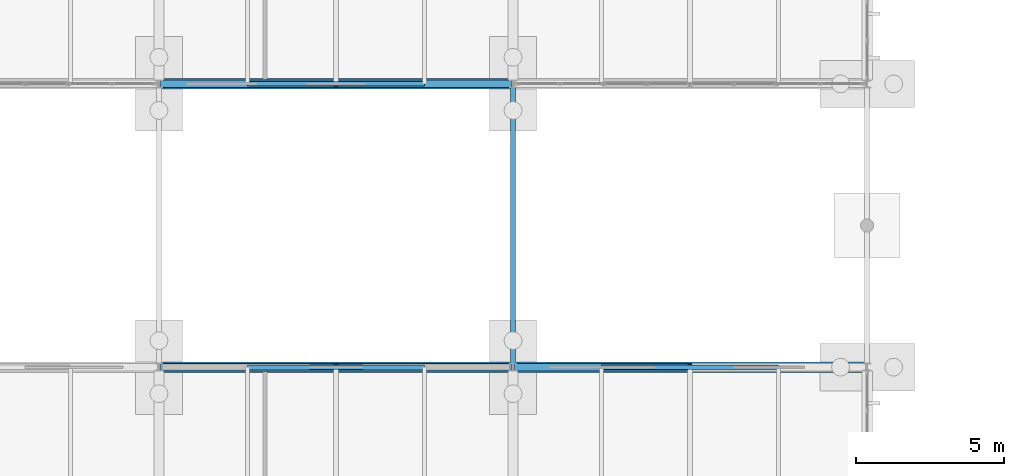
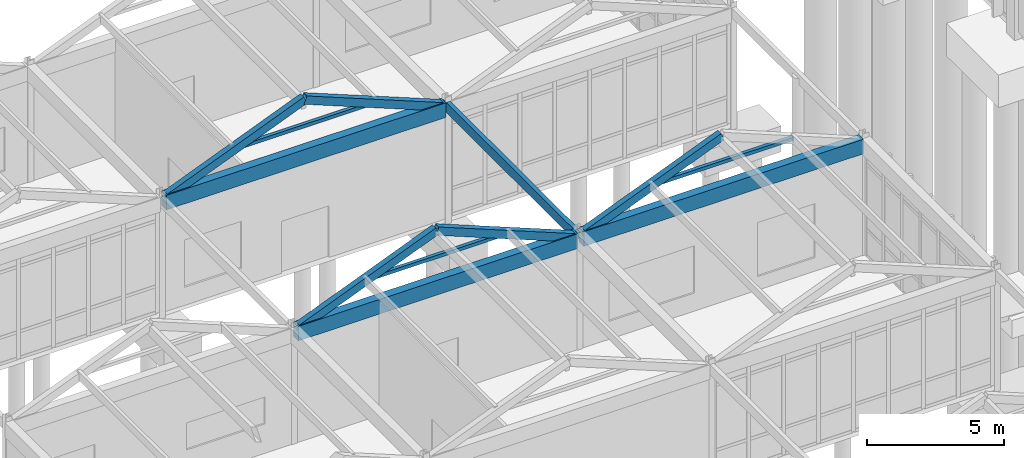
# One storey, part 64 of 188: 9 members, 3 beams.
"""IFC4 building model written with IfcOpenShell, lengths in metres."""

import ifcopenshell
import ifcopenshell.guid

model = None  # the IFC model being written
_history = None  # IfcOwnerHistory: only IFC2X3 demands one
_inside = {}  # id of a spatial element -> (the spatial element, [elements in it])
_under = {}  # id of a project, library or spatial element -> (it, [spatial elements below it])
_declared = {}  # id of a project -> (the project, [libraries it declares])
_typed = {}  # id of a type object -> (the type object, [elements of that type])
_made_of = {}  # id of a material, layer set ... -> (it, [elements and type objects made of it])


def new_model(schema):
    """Start an empty IFC model of exactly this schema.

    Asked for "IFC4X3", IfcOpenShell would pick the latest addendum, in which some entities
    have other attributes; the version numbers below select the first issue.
    IFC2X3 requires an IfcOwnerHistory on every rooted entity: one is made here for all.
    """
    global model, _history
    if schema == "IFC4X3":
        model = ifcopenshell.file(schema_version=(4, 3, 0, 0))
    else:
        model = ifcopenshell.file(schema=schema)
    _inside.clear()
    _under.clear()
    _declared.clear()
    _typed.clear()
    _made_of.clear()
    _history = None
    if model.schema == "IFC2X3":
        org = make("IfcOrganization", Name="unknown")
        user = make(
            "IfcPersonAndOrganization",
            ThePerson=make("IfcPerson", FamilyName="unknown"),
            TheOrganization=org,
        )
        app = make(
            "IfcApplication",
            ApplicationDeveloper=org,
            Version="unknown",
            ApplicationFullName="unknown",
            ApplicationIdentifier="unknown",
        )
        _history = make(
            "IfcOwnerHistory",
            OwningUser=user,
            OwningApplication=app,
            ChangeAction="ADDED",
            CreationDate=0,
        )
    return model


def make(cls, **values):
    """One entity of the class cls with the attributes given. An attribute that is None is left unset."""
    return model.create_entity(
        cls, **{name: value for name, value in values.items() if value is not None}
    )


def rooted(cls, **values):
    """An entity with a GlobalId (a new one), such as an element, a storey or a relation."""
    return make(cls, GlobalId=ifcopenshell.guid.new(), OwnerHistory=_history, **values)


def si_unit(unit_type, name, prefix=None):
    """IfcSIUnit, for example si_unit("LENGTHUNIT", "METRE", prefix="MILLI")."""
    return make("IfcSIUnit", UnitType=unit_type, Prefix=prefix, Name=name)


def assignment(units):
    """IfcUnitAssignment: the units of a project."""
    return None if units is None else make("IfcUnitAssignment", Units=units)


def point(xyz):
    """IfcCartesianPoint."""
    return None if xyz is None else make("IfcCartesianPoint", Coordinates=xyz)


def direction(xyz):
    """IfcDirection."""
    return None if xyz is None else make("IfcDirection", DirectionRatios=xyz)


def frame(location, z_axis=None, x_axis=None):
    """IfcAxis2Placement3D, a coordinate frame: its origin and axes. An axis left out is left unset."""
    return make(
        "IfcAxis2Placement3D",
        Location=point(location),
        Axis=direction(z_axis),
        RefDirection=direction(x_axis),
    )


def frame_2d(location, x_axis=None):
    """IfcAxis2Placement2D, a coordinate frame in the plane: its origin and x axis."""
    return make(
        "IfcAxis2Placement2D", Location=point(location), RefDirection=direction(x_axis)
    )


def origin():
    """The frame at (0, 0, 0) with its axes left unset."""
    return frame((0.0, 0.0, 0.0))


def origin_2d():
    """The frame at (0, 0) in the plane with its x axis left unset."""
    return frame_2d((0.0, 0.0))


def place(relative_to, where):
    """IfcLocalPlacement: puts the frame where relative to a parent placement (None: the world)."""
    return make(
        "IfcLocalPlacement", PlacementRelTo=relative_to, RelativePlacement=where
    )


def context(
    kind, dimensions, precision=None, world=None, true_north=None, identifier=None
):
    """IfcGeometricRepresentationContext, for example the 3D "Model" context."""
    return make(
        "IfcGeometricRepresentationContext",
        ContextIdentifier=identifier,
        ContextType=kind,
        CoordinateSpaceDimension=dimensions,
        Precision=precision,
        WorldCoordinateSystem=world,
        TrueNorth=true_north,
    )


def subcontext(parent, identifier, kind, view, scale=None):
    """IfcGeometricRepresentationSubContext, for example "Body" below "Model"."""
    return make(
        "IfcGeometricRepresentationSubContext",
        ContextIdentifier=identifier,
        ContextType=kind,
        ParentContext=parent,
        TargetScale=scale,
        TargetView=view,
    )


def project(units=None, contexts=None):
    """IfcProject with its units and contexts."""
    return rooted(
        "IfcProject",
        Name="project",
        RepresentationContexts=contexts,
        UnitsInContext=assignment(units),
    )


def spatial(cls, under=None, at=None, **own):
    """A site, building, storey or space (cls), placed at a placement, below another one or the project."""
    s = rooted(cls, ObjectPlacement=at, **own)
    if under is not None:
        _under.setdefault(under.id(), (under, []))[1].append(s)
    return s


def profile(cls, at=None, kind="AREA", **sizes):
    """A parametric profile (cls). Its sizes go by their IFC names, for example OverallWidth=200.0."""
    return make(cls, ProfileType=kind, Position=at, **sizes)


def rectangle(**sizes):
    """IfcRectangleProfileDef."""
    return profile("IfcRectangleProfileDef", **sizes)


def hollow_rectangle(**sizes):
    """IfcRectangleHollowProfileDef."""
    return profile("IfcRectangleHollowProfileDef", **sizes)


def extrude(swept, where, along, depth):
    """IfcExtrudedAreaSolid: the profile swept, set in the frame where, extruded along a direction by depth."""
    return make(
        "IfcExtrudedAreaSolid",
        SweptArea=swept,
        Position=where,
        ExtrudedDirection=direction(along),
        Depth=depth,
    )


def shape(context_of_items, identifier, shape_type, items):
    """IfcShapeRepresentation: the items that make up one representation, for example the "Body"."""
    return make(
        "IfcShapeRepresentation",
        ContextOfItems=context_of_items,
        RepresentationIdentifier=identifier,
        RepresentationType=shape_type,
        Items=items,
    )


def material(Name=None, Category=None):
    """IfcMaterial."""
    return make("IfcMaterial", Name=Name, Category=Category)


def material_profile(
    of_material, cross_section, Name=None, Category=None, Priority=None
):
    """IfcMaterialProfile: a cross section and its material."""
    return make(
        "IfcMaterialProfile",
        Name=Name,
        Material=of_material,
        Profile=cross_section,
        Priority=Priority,
        Category=Category,
    )


def profile_set(profiles, Name=None, composite=None):
    """IfcMaterialProfileSet."""
    return make(
        "IfcMaterialProfileSet",
        Name=Name,
        MaterialProfiles=profiles,
        CompositeProfile=composite,
    )


def made_of(thing, what):
    """Note that an element or type object is made of a material, layer set ...; save() writes the relation."""
    if what is not None:
        _made_of.setdefault(what.id(), (what, []))[1].append(thing)
    return thing


def type_object(cls, material=None, **own):
    """A type object (cls), such as IfcWallType, which elements share."""
    return made_of(rooted(cls, **own), material)


def element(
    cls,
    number,
    at=None,
    inside=None,
    cuts=None,
    type_object=None,
    material=None,
    context=None,
    identifier="Body",
    shape_type=None,
    held_by="IfcProductDefinitionShape",
    body=None,
    shapes=None,
    **own,
):
    """One element of the class cls, such as IfcWall. Its Tag is "e" and its number.

    at: its placement. inside: the storey or other place that contains it. cuts: it is an
    opening in that element (IfcRelVoidsElement). A single representation is given by context,
    identifier, shape_type and body (its items); several are given by shapes. held_by: the class
    of the entity that holds the representations. save() writes the other relations.
    """
    e = rooted(cls, Tag="e%d" % number, ObjectPlacement=at, **own)
    if body is not None:
        shapes = [shape(context, identifier, shape_type, body)]
    if shapes is not None:
        e.Representation = make(held_by, Representations=shapes)
    if inside is not None:
        _inside.setdefault(inside.id(), (inside, []))[1].append(e)
    if cuts is not None:
        rooted(
            "IfcRelVoidsElement", RelatingBuildingElement=cuts, RelatedOpeningElement=e
        )
    if type_object is not None:
        _typed.setdefault(type_object.id(), (type_object, []))[1].append(e)
    return made_of(e, material)


def aggregate(whole, parts):
    """IfcRelAggregates: a whole, such as a stair, and the parts it consists of."""
    return rooted("IfcRelAggregates", RelatingObject=whole, RelatedObjects=parts)


def save(model, path):
    """Write the relations noted so far, then the file.

    IfcRelAggregates (storeys below a building ...), IfcRelContainedInSpatialStructure (elements
    in a storey), IfcRelDefinesByType, IfcRelAssociatesMaterial and IfcRelDeclares: one each for
    every whole, place, type object, material and project.
    """
    for whole, parts in _under.values():
        aggregate(whole, parts)
    for where, things in _inside.values():
        rooted(
            "IfcRelContainedInSpatialStructure",
            RelatedElements=things,
            RelatingStructure=where,
        )
    for kind, things in _typed.values():
        rooted("IfcRelDefinesByType", RelatedObjects=things, RelatingType=kind)
    for what, things in _made_of.values():
        rooted("IfcRelAssociatesMaterial", RelatedObjects=things, RelatingMaterial=what)
    for by, libraries in _declared.values():
        rooted("IfcRelDeclares", RelatingContext=by, RelatedDefinitions=libraries)
    model.write(path)


model = new_model("IFC4")

# Units and contexts
model_context = context("Model", 3, precision=1e-05, world=origin(), true_north=direction((0.0, 1.0)))
body_context = subcontext(model_context, "Body", "Model", "MODEL_VIEW")
ifc_project = project(units=[si_unit("LENGTHUNIT", "METRE"), si_unit("AREAUNIT", "SQUARE_METRE"), si_unit("VOLUMEUNIT", "CUBIC_METRE"), si_unit("PLANEANGLEUNIT", "RADIAN"), si_unit("MASSUNIT", "GRAM", prefix="KILO")], contexts=[model_context])

# Site, building, storey
site_placement = place(None, origin())
site = spatial("IfcSite", under=ifc_project, at=site_placement, CompositionType="ELEMENT")
building_placement = place(site_placement, origin())
building = spatial("IfcBuilding", under=site, at=building_placement, Name="Pandanus Reach Market Hall", CompositionType="ELEMENT")
storey_placement = place(building_placement, origin())
storey = spatial("IfcBuildingStorey", under=building, at=storey_placement, Name="L00", CompositionType="ELEMENT", Elevation=0.0)

# Beams
ifc_material_1 = material(Name="Concrete N40 (40 MPa)", Category="concrete")
ifc_material_profile_1 = material_profile(ifc_material_1, rectangle(XDim=0.35009765625, YDim=0.64990234375, at=origin_2d()), Name="RC350x650", Category="LoadBearing")
ifc_profile_set_1 = profile_set([ifc_material_profile_1], Name="Concrete N40 (40 MPa)")
beam_type = type_object("IfcBeamType", Name="BM-RC350-E", PredefinedType="SPANDREL", material=ifc_profile_set_1)
for number, where, z_axis, x_axis, name in (
    (1, (12.125, 67.199951171875, 4.8798828125), (1.0, 0.0, 0.0), (0.0, 1.0, 0.0), "Framing beam BM-RC350-E L00.1168"),
    (2, (24.125, 67.199951171875, 4.8798828125), (1.0, 0.0, 0.0), (0.0, 1.0, 0.0), "Framing beam BM-RC350-E L00.1171"),
    (3, (12.125, 76.800048828125, 4.8798828125), (1.0, 0.0, 0.0), (0.0, 1.0, 0.0), "Framing beam BM-RC350-E L00.1177"),
):
    element("IfcBeam", number, at=place(storey_placement, frame(where, z_axis=z_axis, x_axis=x_axis)), inside=storey, type_object=beam_type, Name=name, PredefinedType="SPANDREL", context=body_context, shape_type="SweptSolid", body=[
        extrude(rectangle(XDim=0.35009765625, YDim=0.64990234375, at=origin_2d()), origin(), (0.0, 0.0, 1.0), 11.75),
    ])

# Members
ifc_material_2 = material(Name="Steel Grade 350 (350 MPa)", Category="steel")
ifc_material_profile_2 = material_profile(ifc_material_2, hollow_rectangle(XDim=0.14990234375, YDim=0.14990234375, WallThickness=0.009033203125, at=origin_2d()), Name="150x150x9.0SHS", Category="LoadBearing")
ifc_profile_set_2 = profile_set([ifc_material_profile_2], Name="Steel Grade 350 (350 MPa)")
member_type_1 = type_object("IfcMemberType", Name="CL-SHS150-I", PredefinedType="COLLAR", material=ifc_profile_set_2)
for number, where, z_axis, x_axis, name in (
    (4, (15.0, 67.199951171875, 6.166748046875), (1.0, 0.0, 0.0), (0.0, 1.0, 0.0), "Gable collar tie R2.B2"),
    (5, (27.0, 67.199951171875, 6.166748046875), (1.0, 0.0, 0.0), (0.0, 1.0, 0.0), "Gable collar tie R2.B3"),
    (6, (15.0, 76.800048828125, 6.166748046875), (1.0, 0.0, 0.0), (0.0, 1.0, 0.0), "Gable collar tie R3.B2"),
):
    element("IfcMember", number, at=place(storey_placement, frame(where, z_axis=z_axis, x_axis=x_axis)), inside=storey, type_object=member_type_1, Name=name, PredefinedType="COLLAR", context=body_context, shape_type="SweptSolid", body=[
        extrude(hollow_rectangle(XDim=0.14990234375, YDim=0.14990234375, WallThickness=0.009033203125, at=origin_2d()), origin(), (0.0, 0.0, 1.0), 6.0),
    ])
ifc_material_3 = material(Name="Glulam timber GL17", Category="wood")
ifc_material_profile_3 = material_profile(ifc_material_3, rectangle(XDim=0.175048828125, YDim=0.449951171875, at=origin_2d()), Name="GL175x450", Category="LoadBearing")
ifc_profile_set_3 = profile_set([ifc_material_profile_3], Name="Glulam timber GL17")
member_type_2 = type_object("IfcMemberType", Name="PR-GL175-E", PredefinedType="PURLIN", material=ifc_profile_set_3)
member_placement = place(storey_placement, frame((24.0, 67.320068359375, 4.949951171875), z_axis=(0.0, 1.0, 0.0), x_axis=(-1.0, 0.0, 0.0)))
element("IfcMember", 7, at=member_placement, inside=storey, type_object=member_type_2, Name="Breezeway glulam purlin 2.24", PredefinedType="PURLIN", context=body_context, shape_type="SweptSolid", body=[
    extrude(rectangle(XDim=0.175048828125, YDim=0.449951171875, at=origin_2d()), origin(), (0.0, 0.0, 1.0), 9.35986328125),
])
ifc_material_profile_4 = material_profile(ifc_material_2, hollow_rectangle(XDim=0.25, YDim=0.35009765625, WallThickness=0.012451171875, at=origin_2d()), Name="350x250x12.5RHS", Category="LoadBearing")
ifc_profile_set_4 = profile_set([ifc_material_profile_4], Name="Steel Grade 350 (350 MPa)")
member_type_3 = type_object("IfcMemberType", Name="RF-RHS350-E", PredefinedType="RAFTER", material=ifc_profile_set_4)
for number, where, z_axis, x_axis, name in (
    (8, (12.1201171875, 67.199951171875, 4.985107421875), (0.927845665363, 0.0, 0.372964369971), (0.0, 1.0, 0.0), "Steep gable rafter R2.B2W"),
    (9, (18.0, 67.199951171875, 7.3486328125), (0.927845665363, 0.0, -0.372964369971), (0.0, 1.0, 0.0), "Steep gable rafter R2.B2E"),
    (10, (24.1201171875, 67.199951171875, 4.985107421875), (0.927845665363, 0.0, 0.372964369971), (0.0, 1.0, 0.0), "Steep gable rafter R2.B3W"),
    (11, (12.1201171875, 76.800048828125, 4.985107421875), (0.927845665363, 0.0, 0.372964369971), (0.0, 1.0, 0.0), "Steep gable rafter R3.B2W"),
    (12, (18.0, 76.800048828125, 7.3486328125), (0.927845665363, 0.0, -0.372964369971), (0.0, 1.0, 0.0), "Steep gable rafter R3.B2E"),
):
    element("IfcMember", number, at=place(storey_placement, frame(where, z_axis=z_axis, x_axis=x_axis)), inside=storey, type_object=member_type_3, Name=name, PredefinedType="RAFTER", context=body_context, shape_type="SweptSolid", body=[
        extrude(hollow_rectangle(XDim=0.25, YDim=0.35009765625, WallThickness=0.012451171875, at=origin_2d()), origin(), (0.0, 0.0, 1.0), 6.337158203125),
    ])

save(model, "model.ifc")
